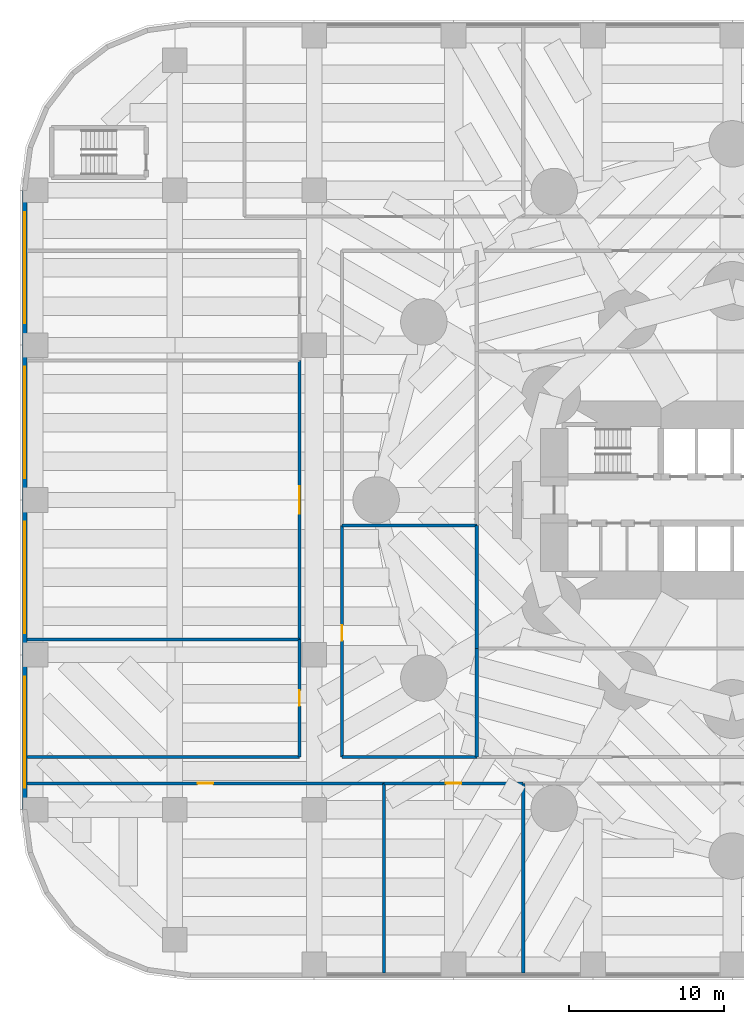
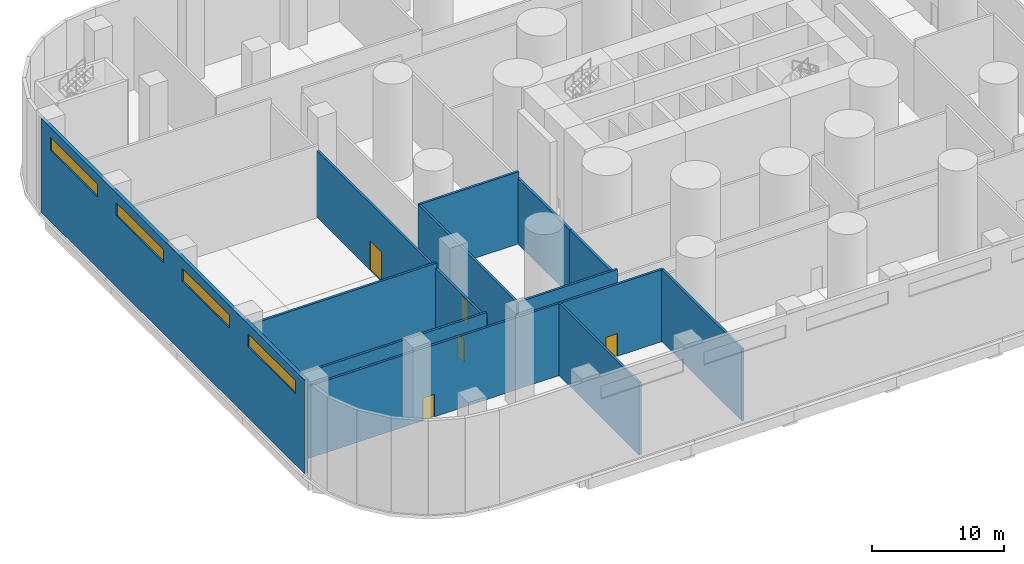
# One storey, part 7 of 13: 14 walls, 5 doors, 4 windows, 9 openings.
"""IFC4 building model written with IfcOpenShell, lengths in metres."""

from ifc_helpers import new_model, si_unit, direction, frame, frame_2d, origin, place, context, subcontext, project, spatial, rectangle, extrude, material, layer, layer_set, type_object, element, fill, save


model = new_model("IFC4")

# Units and contexts
model_context = context("Model", 3, precision=1e-05, world=origin(), true_north=direction((0.0, 1.0)))
body_context = subcontext(model_context, "Body", "Model", "MODEL_VIEW")
ifc_project = project(units=[si_unit("LENGTHUNIT", "METRE"), si_unit("AREAUNIT", "SQUARE_METRE"), si_unit("VOLUMEUNIT", "CUBIC_METRE"), si_unit("PLANEANGLEUNIT", "RADIAN"), si_unit("MASSUNIT", "GRAM", prefix="KILO")], contexts=[model_context])

# Site, building, storey
site_placement = place(None, origin())
site = spatial("IfcSite", under=ifc_project, at=site_placement, CompositionType="ELEMENT")
building_placement = place(site_placement, origin())
building = spatial("IfcBuilding", under=site, at=building_placement, Name="Qaws Media Tower", CompositionType="ELEMENT")
storey_placement = place(building_placement, frame((0.0, 0.0, 6.0)))
storey = spatial("IfcBuildingStorey", under=building, at=storey_placement, Name="L01", CompositionType="ELEMENT", Elevation=6.0)

# Wall, openings, windows
ifc_material_1 = material(Name="Precast concrete, exposed finish", Category="concrete")
ifc_layer_1 = layer(ifc_material_1, 0.300048828125)
ifc_layer_set_1 = layer_set([ifc_layer_1], Name="Podium facade wall 300")
wall_type_1 = type_object("IfcWallType", Name="Podium facade wall 300", PredefinedType="SOLIDWALL", material=ifc_layer_set_1)
wall_1_placement = place(storey_placement, frame((14.300048828125, 70.0, 0.0), z_axis=(0.0, 0.0, 1.0), x_axis=(0.0, -1.0, 0.0)))
wall_1 = element("IfcWall", 1, at=wall_1_placement, inside=storey, type_object=wall_type_1, Name="W793 EW2 podium wall L01-21", PredefinedType="SOLIDWALL", context=body_context, shape_type="SweptSolid", body=[
    extrude(rectangle(XDim=40.0, YDim=0.300048828125, at=frame_2d((20.0, 0.0))), origin(), (0.0, 0.0, 1.0), 8.699951171875),
])
opening_1_placement = place(wall_1_placement, frame((31.39990234375, 0.0, 6.60009765625)))
opening_1 = element("IfcOpeningElement", 2, at=opening_1_placement, cuts=wall_1, Name="Opening W4", PredefinedType="OPENING", context=body_context, shape_type="SweptSolid", body=[
    extrude(rectangle(XDim=7.199951171875, YDim=1.199951171875, at=frame_2d((3.60009765625, 0.60009765625))), frame((0.0, 0.159912109375, 0.0), z_axis=(0.0, -1.0, 0.0), x_axis=(1.0, 0.0, 0.0)), (0.0, 0.0, 1.0), 0.320068359375),
])
opening_2_placement = place(wall_1_placement, frame((21.39990234375, 0.0, 6.60009765625)))
opening_2 = element("IfcOpeningElement", 3, at=opening_2_placement, cuts=wall_1, Name="Opening W4", PredefinedType="OPENING", context=body_context, shape_type="SweptSolid", body=[
    extrude(rectangle(XDim=7.199951171875, YDim=1.199951171875, at=frame_2d((3.60009765625, 0.60009765625))), frame((0.0, 0.159912109375, 0.0), z_axis=(0.0, -1.0, 0.0), x_axis=(1.0, 0.0, 0.0)), (0.0, 0.0, 1.0), 0.320068359375),
])
opening_3_placement = place(wall_1_placement, frame((11.39990234375, 0.0, 6.60009765625)))
opening_3 = element("IfcOpeningElement", 4, at=opening_3_placement, cuts=wall_1, Name="Opening W4", PredefinedType="OPENING", context=body_context, shape_type="SweptSolid", body=[
    extrude(rectangle(XDim=7.199951171875, YDim=1.199951171875, at=frame_2d((3.60009765625, 0.60009765625))), frame((0.0, 0.159912109375, 0.0), z_axis=(0.0, -1.0, 0.0), x_axis=(1.0, 0.0, 0.0)), (0.0, 0.0, 1.0), 0.320068359375),
])
opening_4_placement = place(wall_1_placement, frame((1.39990234375, 0.0, 6.60009765625)))
opening_4 = element("IfcOpeningElement", 5, at=opening_4_placement, cuts=wall_1, Name="Opening W4", PredefinedType="OPENING", context=body_context, shape_type="SweptSolid", body=[
    extrude(rectangle(XDim=7.199951171875, YDim=1.199951171875, at=frame_2d((3.60009765625, 0.60009765625))), frame((0.0, 0.159912109375, 0.0), z_axis=(0.0, -1.0, 0.0), x_axis=(1.0, 0.0, 0.0)), (0.0, 0.0, 1.0), 0.320068359375),
])
ifc_material_2 = material(Name="Aluminium and clear glass", Category="aluminium")
window_type = type_object("IfcWindowType", Name="Clerestory window 7200x1200", PartitioningType="TRIPLE_PANEL_HORIZONTAL", PredefinedType="WINDOW", material=ifc_material_2)
window_1_placement = place(opening_1_placement, origin())
window_1 = element("IfcWindow", 6, at=window_1_placement, inside=storey, type_object=window_type, Name="W4 window L01 bay 2", OverallHeight=1.199951171875, OverallWidth=7.199951171875, PartitioningType="SINGLE_PANEL", PredefinedType="WINDOW", context=body_context, shape_type="SweptSolid", body=[
    extrude(rectangle(XDim=7.199951171875, YDim=1.199951171875, at=frame_2d((3.60009765625, 0.60009765625))), frame((0.0, 0.030029296875, 0.0), z_axis=(0.0, -1.0, 0.0), x_axis=(1.0, 0.0, 0.0)), (0.0, 0.0, 1.0), 0.06005859375),
])
fill(opening_1, window_1)
window_2_placement = place(opening_2_placement, origin())
window_2 = element("IfcWindow", 7, at=window_2_placement, inside=storey, type_object=window_type, Name="W4 window L01 bay 3", OverallHeight=1.199951171875, OverallWidth=7.199951171875, PartitioningType="SINGLE_PANEL", PredefinedType="WINDOW", context=body_context, shape_type="SweptSolid", body=[
    extrude(rectangle(XDim=7.199951171875, YDim=1.199951171875, at=frame_2d((3.60009765625, 0.60009765625))), frame((0.0, 0.030029296875, 0.0), z_axis=(0.0, -1.0, 0.0), x_axis=(1.0, 0.0, 0.0)), (0.0, 0.0, 1.0), 0.06005859375),
])
fill(opening_2, window_2)
window_3_placement = place(opening_3_placement, origin())
window_3 = element("IfcWindow", 8, at=window_3_placement, inside=storey, type_object=window_type, Name="W4 window L01 bay 4", OverallHeight=1.199951171875, OverallWidth=7.199951171875, PartitioningType="SINGLE_PANEL", PredefinedType="WINDOW", context=body_context, shape_type="SweptSolid", body=[
    extrude(rectangle(XDim=7.199951171875, YDim=1.199951171875, at=frame_2d((3.60009765625, 0.60009765625))), frame((0.0, 0.030029296875, 0.0), z_axis=(0.0, -1.0, 0.0), x_axis=(1.0, 0.0, 0.0)), (0.0, 0.0, 1.0), 0.06005859375),
])
fill(opening_3, window_3)
window_4_placement = place(opening_4_placement, origin())
window_4 = element("IfcWindow", 9, at=window_4_placement, inside=storey, type_object=window_type, Name="W4 window L01 bay 5", OverallHeight=1.199951171875, OverallWidth=7.199951171875, PartitioningType="SINGLE_PANEL", PredefinedType="WINDOW", context=body_context, shape_type="SweptSolid", body=[
    extrude(rectangle(XDim=7.199951171875, YDim=1.199951171875, at=frame_2d((3.60009765625, 0.60009765625))), frame((0.0, 0.030029296875, 0.0), z_axis=(0.0, -1.0, 0.0), x_axis=(1.0, 0.0, 0.0)), (0.0, 0.0, 1.0), 0.06005859375),
])
fill(opening_4, window_4)

# Wall, opening, door
ifc_material_3 = material(Name="Gypsum board on galvanised metal studs, acoustic double stud, deflection head", Category="gypsum")
ifc_layer_2 = layer(ifc_material_3, 0.199951171875)
ifc_layer_set_2 = layer_set([ifc_layer_2], Name="Room partition 200")
wall_type_2 = type_object("IfcWallType", Name="Room partition 200", PredefinedType="PARTITIONING", material=ifc_layer_set_2)
wall_2_placement = place(storey_placement, frame((32.050048828125, 33.39990234375, 0.0), z_axis=(0.0, 0.0, 1.0), x_axis=(0.0, 1.0, 0.0)))
wall_2 = element("IfcWall", 10, at=wall_2_placement, inside=storey, type_object=wall_type_2, Name="W893 IW3 partition L01", PredefinedType="PARTITIONING", context=body_context, shape_type="SweptSolid", body=[
    extrude(rectangle(XDim=7.60009765625, YDim=0.199951171875, at=frame_2d((3.800048828125, 0.0))), origin(), (0.0, 0.0, 1.0), 6.179931640625),
])
opening_5_placement = place(wall_2_placement, frame((3.300048828125, 0.0, 0.0)))
opening_5 = element("IfcOpeningElement", 11, at=opening_5_placement, cuts=wall_2, Name="Opening D5", PredefinedType="OPENING", context=body_context, shape_type="SweptSolid", body=[
    extrude(rectangle(XDim=1.0, YDim=2.10009765625, at=frame_2d((0.5, 1.050048828125))), frame((0.0, 0.10986328125, 0.0), z_axis=(0.0, -1.0, 0.0), x_axis=(1.0, 0.0, 0.0)), (0.0, 0.0, 1.0), 0.219970703125),
])
ifc_material_4 = material(Name="Timber veneered, acoustic seal", Category="wood")
door_type_1 = type_object("IfcDoorType", Name="Room door 1000", OperationType="SINGLE_SWING_LEFT", PredefinedType="DOOR", material=ifc_material_4)
door_1_placement = place(opening_5_placement, origin())
door_1 = element("IfcDoor", 12, at=door_1_placement, inside=storey, type_object=door_type_1, Name="D5 Autocue and graphics room door in wall W893", OperationType="SINGLE_SWING_LEFT", OverallHeight=2.10009765625, OverallWidth=1.0, PredefinedType="DOOR", context=body_context, shape_type="SweptSolid", body=[
    extrude(rectangle(XDim=1.0, YDim=2.10009765625, at=frame_2d((0.5, 1.050048828125))), frame((0.0, 0.02490234375, 0.0), z_axis=(0.0, -1.0, 0.0), x_axis=(1.0, 0.0, 0.0)), (0.0, 0.0, 1.0), 0.050048828125),
])
fill(opening_5, door_1)

wall_3_placement = place(storey_placement, frame((32.050048828125, 41.0, 0.0), z_axis=(0.0, 0.0, 1.0), x_axis=(0.0, 1.0, 0.0)))
wall_3 = element("IfcWall", 13, at=wall_3_placement, inside=storey, type_object=wall_type_2, Name="W894 IW3 partition L01", PredefinedType="PARTITIONING", context=body_context, shape_type="SweptSolid", body=[
    extrude(rectangle(XDim=18.0, YDim=0.199951171875, at=frame_2d((9.0, 0.0))), origin(), (0.0, 0.0, 1.0), 6.179931640625),
])
opening_6_placement = place(wall_3_placement, frame((8.10009765625, 0.0, 0.0)))
opening_6 = element("IfcOpeningElement", 14, at=opening_6_placement, cuts=wall_3, Name="Opening D15", PredefinedType="OPENING", context=body_context, shape_type="SweptSolid", body=[
    extrude(rectangle(XDim=1.800048828125, YDim=2.699951171875, at=frame_2d((0.89990234375, 1.35009765625))), frame((0.0, 0.10986328125, 0.0), z_axis=(0.0, -1.0, 0.0), x_axis=(1.0, 0.0, 0.0)), (0.0, 0.0, 1.0), 0.219970703125),
])
ifc_material_5 = material(Name="Steel acoustic door set, Rw 50", Category="steel")
door_type_2 = type_object("IfcDoorType", Name="Studio acoustic door pair 1800x2700 Rw 50", OperationType="DOUBLE_DOOR_DOUBLE_SWING", PredefinedType="DOOR", material=ifc_material_5)
door_2_placement = place(opening_6_placement, origin())
door_2 = element("IfcDoor", 15, at=door_2_placement, inside=storey, type_object=door_type_2, Name="D15 Studio A door in wall W894", OperationType="DOUBLE_DOOR_DOUBLE_SWING", OverallHeight=2.699951171875, OverallWidth=1.800048828125, PredefinedType="DOOR", context=body_context, shape_type="SweptSolid", body=[
    extrude(rectangle(XDim=1.800048828125, YDim=2.699951171875, at=frame_2d((0.89990234375, 1.35009765625))), frame((0.0, 0.02490234375, 0.0), z_axis=(0.0, -1.0, 0.0), x_axis=(1.0, 0.0, 0.0)), (0.0, 0.0, 1.0), 0.050048828125),
])
fill(opening_6, door_2)

wall_4_placement = place(storey_placement, frame((34.800048828125, 33.39990234375, 0.0), z_axis=(0.0, 0.0, 1.0), x_axis=(0.0, 1.0, 0.0)))
wall_4 = element("IfcWall", 16, at=wall_4_placement, inside=storey, type_object=wall_type_2, Name="W896 IW3 partition L01", PredefinedType="PARTITIONING", context=body_context, shape_type="SweptSolid", body=[
    extrude(rectangle(XDim=14.9501953125, YDim=0.199951171875, at=frame_2d((7.47509765625, 0.0))), origin(), (0.0, 0.0, 1.0), 6.679931640625),
])
opening_7_placement = place(wall_4_placement, frame((7.52490234375, 0.0, 0.0)))
opening_7 = element("IfcOpeningElement", 17, at=opening_7_placement, cuts=wall_4, Name="Opening D5", PredefinedType="OPENING", context=body_context, shape_type="SweptSolid", body=[
    extrude(rectangle(XDim=1.0, YDim=2.10009765625, at=frame_2d((0.5, 1.050048828125))), frame((0.0, 0.10986328125, 0.0), z_axis=(0.0, -1.0, 0.0), x_axis=(1.0, 0.0, 0.0)), (0.0, 0.0, 1.0), 0.219970703125),
])
door_3_placement = place(opening_7_placement, origin())
door_3 = element("IfcDoor", 18, at=door_3_placement, inside=storey, type_object=door_type_1, Name="D5 Rehearsal room door in wall W896", OperationType="SINGLE_SWING_LEFT", OverallHeight=2.10009765625, OverallWidth=1.0, PredefinedType="DOOR", context=body_context, shape_type="SweptSolid", body=[
    extrude(rectangle(XDim=1.0, YDim=2.10009765625, at=frame_2d((0.5, 1.050048828125))), frame((0.0, 0.02490234375, 0.0), z_axis=(0.0, -1.0, 0.0), x_axis=(1.0, 0.0, 0.0)), (0.0, 0.0, 1.0), 0.050048828125),
])
fill(opening_7, door_3)

# Walls
wall_5_placement = place(storey_placement, frame((37.5, 19.455078125, 0.0), z_axis=(0.0, 0.0, 1.0), x_axis=(0.0, 1.0, 0.0)))
element("IfcWall", 19, at=wall_5_placement, inside=storey, type_object=wall_type_2, Name="W901 IW3 partition L01", PredefinedType="PARTITIONING", context=body_context, shape_type="SweptSolid", body=[
    extrude(rectangle(XDim=12.244873046875, YDim=0.199951171875, at=frame_2d((6.12255859375, 0.0))), origin(), (0.0, 0.0, 1.0), 6.679931640625),
])
wall_6_placement = place(storey_placement, frame((43.5, 33.39990234375, 0.0), z_axis=(0.0, 0.0, 1.0), x_axis=(0.0, 1.0, 0.0)))
element("IfcWall", 20, at=wall_6_placement, inside=storey, type_object=wall_type_2, Name="W817 IW3 partition L01", PredefinedType="PARTITIONING", context=body_context, shape_type="SweptSolid", body=[
    extrude(rectangle(XDim=7.0, YDim=0.199951171875, at=frame_2d((3.5, 0.0))), origin(), (0.0, 0.0, 1.0), 6.080078125),
])
wall_7_placement = place(storey_placement, frame((43.5, 40.39990234375, 0.0), z_axis=(0.0, 0.0, 1.0), x_axis=(0.0, 1.0, 0.0)))
element("IfcWall", 21, at=wall_7_placement, inside=storey, type_object=wall_type_2, Name="W902 IW3 partition L01", PredefinedType="PARTITIONING", context=body_context, shape_type="SweptSolid", body=[
    extrude(rectangle(XDim=7.9501953125, YDim=0.199951171875, at=frame_2d((3.97509765625, 0.0))), origin(), (0.0, 0.0, 1.0), 6.080078125),
])
wall_8_placement = place(storey_placement, frame((46.5, 19.455078125, 0.0), z_axis=(0.0, 0.0, 1.0), x_axis=(0.0, 1.0, 0.0)))
element("IfcWall", 22, at=wall_8_placement, inside=storey, type_object=wall_type_2, Name="W903 IW3 partition L01", PredefinedType="PARTITIONING", context=body_context, shape_type="SweptSolid", body=[
    extrude(rectangle(XDim=12.244873046875, YDim=0.199951171875, at=frame_2d((6.12255859375, 0.0))), origin(), (0.0, 0.0, 1.0), 6.679931640625),
])

# Wall, opening, door
wall_9_placement = place(storey_placement, frame((14.455078125, 31.699951171875, 0.0), z_axis=(0.0, 0.0, 1.0), x_axis=(1.0, 0.0, 0.0)))
wall_9 = element("IfcWall", 23, at=wall_9_placement, inside=storey, type_object=wall_type_2, Name="W842 IW3 partition L01", PredefinedType="PARTITIONING", context=body_context, shape_type="SweptSolid", body=[
    extrude(rectangle(XDim=23.044921875, YDim=0.199951171875, at=frame_2d((11.5224609375, 0.0))), origin(), (0.0, 0.0, 1.0), 6.679931640625),
])
opening_8_placement = place(wall_9_placement, frame((11.0224609375, 0.0, 0.0)))
opening_8 = element("IfcOpeningElement", 24, at=opening_8_placement, cuts=wall_9, Name="Opening D5", PredefinedType="OPENING", context=body_context, shape_type="SweptSolid", body=[
    extrude(rectangle(XDim=1.0, YDim=2.10009765625, at=frame_2d((0.5, 1.050048828125))), frame((0.0, 0.10986328125, 0.0), z_axis=(0.0, -1.0, 0.0), x_axis=(1.0, 0.0, 0.0)), (0.0, 0.0, 1.0), 0.219970703125),
])
door_4_placement = place(opening_8_placement, origin())
door_4 = element("IfcDoor", 25, at=door_4_placement, inside=storey, type_object=door_type_1, Name="D5 Green room door in wall W842", OperationType="SINGLE_SWING_LEFT", OverallHeight=2.10009765625, OverallWidth=1.0, PredefinedType="DOOR", context=body_context, shape_type="SweptSolid", body=[
    extrude(rectangle(XDim=1.0, YDim=2.10009765625, at=frame_2d((0.5, 1.050048828125))), frame((0.0, 0.02490234375, 0.0), z_axis=(0.0, -1.0, 0.0), x_axis=(1.0, 0.0, 0.0)), (0.0, 0.0, 1.0), 0.050048828125),
])
fill(opening_8, door_4)

wall_10_placement = place(storey_placement, frame((37.5, 31.699951171875, 0.0), z_axis=(0.0, 0.0, 1.0), x_axis=(1.0, 0.0, 0.0)))
wall_10 = element("IfcWall", 26, at=wall_10_placement, inside=storey, type_object=wall_type_2, Name="W853 IW3 partition L01", PredefinedType="PARTITIONING", context=body_context, shape_type="SweptSolid", body=[
    extrude(rectangle(XDim=9.0, YDim=0.199951171875, at=frame_2d((4.5, 0.0))), origin(), (0.0, 0.0, 1.0), 6.679931640625),
])
opening_9_placement = place(wall_10_placement, frame((4.0, 0.0, 0.0)))
opening_9 = element("IfcOpeningElement", 27, at=opening_9_placement, cuts=wall_10, Name="Opening D5", PredefinedType="OPENING", context=body_context, shape_type="SweptSolid", body=[
    extrude(rectangle(XDim=1.0, YDim=2.10009765625, at=frame_2d((0.5, 1.050048828125))), frame((0.0, 0.10986328125, 0.0), z_axis=(0.0, -1.0, 0.0), x_axis=(1.0, 0.0, 0.0)), (0.0, 0.0, 1.0), 0.219970703125),
])
door_5_placement = place(opening_9_placement, origin())
door_5 = element("IfcDoor", 28, at=door_5_placement, inside=storey, type_object=door_type_1, Name="D5 Make-up room door in wall W853", OperationType="SINGLE_SWING_LEFT", OverallHeight=2.10009765625, OverallWidth=1.0, PredefinedType="DOOR", context=body_context, shape_type="SweptSolid", body=[
    extrude(rectangle(XDim=1.0, YDim=2.10009765625, at=frame_2d((0.5, 1.050048828125))), frame((0.0, 0.02490234375, 0.0), z_axis=(0.0, -1.0, 0.0), x_axis=(1.0, 0.0, 0.0)), (0.0, 0.0, 1.0), 0.050048828125),
])
fill(opening_9, door_5)

# Walls
wall_11_placement = place(storey_placement, frame((14.455078125, 33.39990234375, 0.0), z_axis=(0.0, 0.0, 1.0), x_axis=(1.0, 0.0, 0.0)))
element("IfcWall", 29, at=wall_11_placement, inside=storey, type_object=wall_type_2, Name="W888 IW3 partition L01", PredefinedType="PARTITIONING", context=body_context, shape_type="SweptSolid", body=[
    extrude(rectangle(XDim=17.594970703125, YDim=0.199951171875, at=frame_2d((8.79736328125, 0.0))), origin(), (0.0, 0.0, 1.0), 6.679931640625),
])
wall_12_placement = place(storey_placement, frame((34.800048828125, 33.39990234375, 0.0), z_axis=(0.0, 0.0, 1.0), x_axis=(1.0, 0.0, 0.0)))
element("IfcWall", 30, at=wall_12_placement, inside=storey, type_object=wall_type_2, Name="W897 IW3 partition L01", PredefinedType="PARTITIONING", context=body_context, shape_type="SweptSolid", body=[
    extrude(rectangle(XDim=8.699951171875, YDim=0.199951171875, at=frame_2d((4.35009765625, 0.0))), origin(), (0.0, 0.0, 1.0), 6.679931640625),
])
wall_13_placement = place(storey_placement, frame((14.455078125, 41.0, 0.0), z_axis=(0.0, 0.0, 1.0), x_axis=(1.0, 0.0, 0.0)))
element("IfcWall", 31, at=wall_13_placement, inside=storey, type_object=wall_type_2, Name="W889 IW3 partition L01", PredefinedType="PARTITIONING", context=body_context, shape_type="SweptSolid", body=[
    extrude(rectangle(XDim=17.594970703125, YDim=0.199951171875, at=frame_2d((8.79736328125, 0.0))), origin(), (0.0, 0.0, 1.0), 6.679931640625),
])
wall_14_placement = place(storey_placement, frame((34.800048828125, 48.35009765625, 0.0), z_axis=(0.0, 0.0, 1.0), x_axis=(1.0, 0.0, 0.0)))
element("IfcWall", 32, at=wall_14_placement, inside=storey, type_object=wall_type_2, Name="W899 IW3 partition L01", PredefinedType="PARTITIONING", context=body_context, shape_type="SweptSolid", body=[
    extrude(rectangle(XDim=8.699951171875, YDim=0.199951171875, at=frame_2d((4.35009765625, 0.0))), origin(), (0.0, 0.0, 1.0), 6.679931640625),
])

save(model, "model.ifc")
